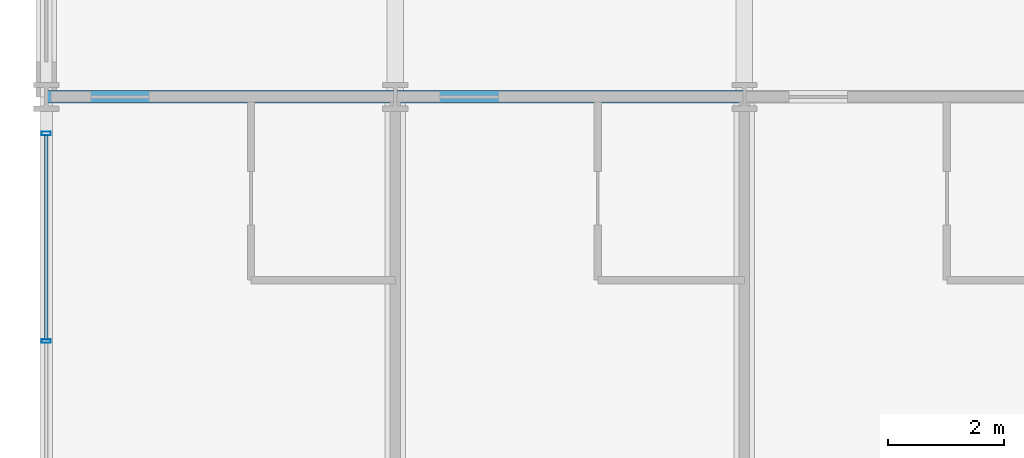
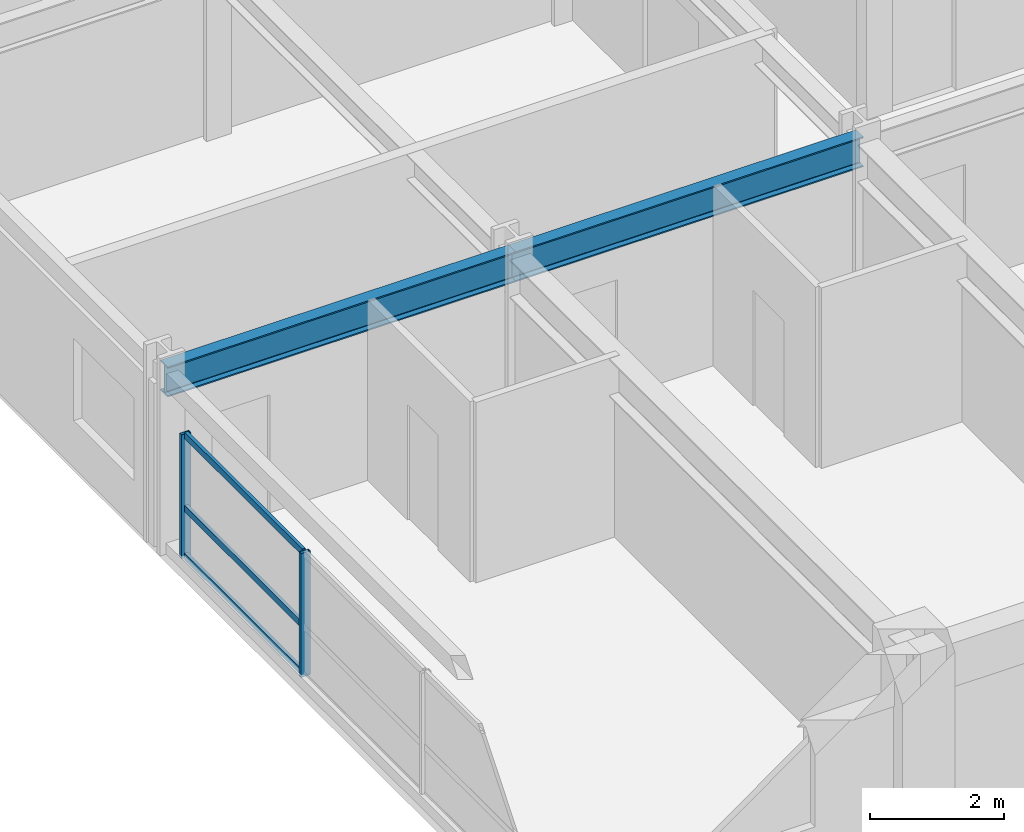
# One storey, part 4 of 22: 5 members, 2 beams, 1 element without a shape of its own.
"""IFC4 building model written with IfcOpenShell, lengths in metres."""

from ifc_helpers import new_model, si_unit, direction, frame, origin, origin_2d, place, context, subcontext, project, spatial, hollow_rectangle, i_section, extrude, material, material_profile, profile_set, type_object, element, aggregate, save


model = new_model("IFC4")

# Units and contexts
model_context = context("Model", 3, precision=1e-05, world=origin(), true_north=direction((0.0, 1.0)))
body_context = subcontext(model_context, "Body", "Model", "MODEL_VIEW")
ifc_project = project(units=[si_unit("LENGTHUNIT", "METRE"), si_unit("AREAUNIT", "SQUARE_METRE"), si_unit("VOLUMEUNIT", "CUBIC_METRE"), si_unit("PLANEANGLEUNIT", "RADIAN"), si_unit("MASSUNIT", "GRAM", prefix="KILO")], contexts=[model_context])

# Site, building, storey
site_placement = place(None, origin())
site = spatial("IfcSite", under=ifc_project, at=site_placement, CompositionType="ELEMENT")
building_placement = place(site_placement, origin())
building = spatial("IfcBuilding", under=site, at=building_placement, Name="Kaldorvane Square Convention Centre", CompositionType="ELEMENT")
storey_placement = place(building_placement, frame((0.0, 0.0, 31.199996948242188)))
storey = spatial("IfcBuildingStorey", under=building, at=storey_placement, Name="L06", CompositionType="ELEMENT", Elevation=31.199996948242188)

# Beams
ifc_material_1 = material(Name="Steel ASTM A992 Gr. 50", Category="steel")
ifc_material_profile_1 = material_profile(ifc_material_1, i_section(OverallWidth=0.213897705078125, OverallDepth=0.549102783203125, WebThickness=0.0146942138671875, FlangeThickness=0.0236053466796875, FilletRadius=0.0126953125, at=origin_2d()), Name="W21X93")
ifc_profile_set_1 = profile_set([ifc_material_profile_1], Name="Steel ASTM A992 Gr. 50")
beam_type = type_object("IfcBeamType", Name="BM-GR-W21X93", PredefinedType="BEAM", material=ifc_profile_set_1)
for number, where, z_axis, x_axis, name in (
    (1, (24.0, 96.0, 3.0113983154296875), (1.0, 0.0, 0.0), (0.0, 1.0, 0.0), "Primary Girder (L06)"),
    (2, (30.0, 96.0, 3.0113983154296875), (1.0, 0.0, 0.0), (0.0, 1.0, 0.0), "Primary Girder (L06)"),
):
    element("IfcBeam", number, at=place(storey_placement, frame(where, z_axis=z_axis, x_axis=x_axis)), inside=storey, type_object=beam_type, Name=name, PredefinedType="BEAM", context=body_context, shape_type="SweptSolid", body=[
        extrude(i_section(OverallWidth=0.213897705078125, OverallDepth=0.549102783203125, WebThickness=0.0146942138671875, FlangeThickness=0.0236053466796875, FilletRadius=0.0126953125, at=origin_2d()), origin(), (0.0, 0.0, 1.0), 6.0),
    ])

# Curtain wall, members
ifc_material_2 = material(Name="Anodized Aluminum and Low-E Insulated Glazing", Category="aluminium")
curtain_wall_type = type_object("IfcCurtainWallType", Name="CW-UNI-HTL-B", PredefinedType="USERDEFINED", material=ifc_material_2)
curtain_wall_placement = place(storey_placement, origin())
curtain_wall = element("IfcCurtainWall", 3, at=curtain_wall_placement, inside=storey, type_object=curtain_wall_type, Name="Curtain Wall CW-11 (L06)", ObjectType="UNITISED GLAZING", PredefinedType="USERDEFINED")
ifc_material_profile_2 = material_profile(ifc_material_2, hollow_rectangle(XDim=0.05999755859375, YDim=0.160003662109375, WallThickness=0.003204345703125, at=origin_2d()), Name="CWM-160X60")
ifc_profile_set_2 = profile_set([ifc_material_profile_2], Name="Anodized Aluminum and Low-E Insulated Glazing")
member_type_1 = type_object("IfcMemberType", Name="CW-MUL-160", PredefinedType="MULLION", material=ifc_profile_set_2)
member_1_placement = place(storey_placement, frame((24.0, 95.3699951171875, 0.1500091552734375), z_axis=(0.0, 0.0, 1.0), x_axis=(0.0, -1.0, 0.0)))
member_1 = element("IfcMember", 4, at=member_1_placement, type_object=member_type_1, Name="CW-11 mullion 1", PredefinedType="MULLION", context=body_context, shape_type="SweptSolid", body=[
    extrude(hollow_rectangle(XDim=0.05999755859375, YDim=0.160003662109375, WallThickness=0.003204345703125, at=origin_2d()), origin(), (0.0, 0.0, 1.0), 2.2599945068359375),
])
member_2_placement = place(storey_placement, frame((24.0, 91.80000305175781, 0.1500091552734375), z_axis=(0.0, 0.0, 1.0), x_axis=(0.0, -1.0, 0.0)))
member_2 = element("IfcMember", 5, at=member_2_placement, type_object=member_type_1, Name="CW-11 mullion 2", PredefinedType="MULLION", context=body_context, shape_type="SweptSolid", body=[
    extrude(hollow_rectangle(XDim=0.05999755859375, YDim=0.160003662109375, WallThickness=0.003204345703125, at=origin_2d()), origin(), (0.0, 0.0, 1.0), 2.2599945068359375),
])
ifc_material_profile_3 = material_profile(ifc_material_2, hollow_rectangle(XDim=0.05499267578125, YDim=0.1199951171875, WallThickness=0.0030059814453125, at=origin_2d()), Name="CWT-120X55")
ifc_profile_set_3 = profile_set([ifc_material_profile_3], Name="Anodized Aluminum and Low-E Insulated Glazing")
member_type_2 = type_object("IfcMemberType", Name="CW-TRN-120", PredefinedType="USERDEFINED", material=ifc_profile_set_3)
member_3_placement = place(storey_placement, frame((24.0, 95.33999633789062, 0.1775054931640625), z_axis=(0.0, -1.0, 0.0), x_axis=(1.0, 0.0, 0.0)))
member_3 = element("IfcMember", 6, at=member_3_placement, type_object=member_type_2, Name="CW-11 transom 1.1", ObjectType="TRANSOM", PredefinedType="USERDEFINED", context=body_context, shape_type="SweptSolid", body=[
    extrude(hollow_rectangle(XDim=0.05499267578125, YDim=0.1199951171875, WallThickness=0.0030059814453125, at=origin_2d()), origin(), (0.0, 0.0, 1.0), 3.5099945068359375),
])
member_4_placement = place(storey_placement, frame((24.0, 95.33999633789062, 1.0500030517578125), z_axis=(0.0, -1.0, 0.0), x_axis=(1.0, 0.0, 0.0)))
member_4 = element("IfcMember", 7, at=member_4_placement, type_object=member_type_2, Name="CW-11 transom 1.2", ObjectType="TRANSOM", PredefinedType="USERDEFINED", context=body_context, shape_type="SweptSolid", body=[
    extrude(hollow_rectangle(XDim=0.05499267578125, YDim=0.1199951171875, WallThickness=0.0030059814453125, at=origin_2d()), origin(), (0.0, 0.0, 1.0), 3.5099945068359375),
])
member_5_placement = place(storey_placement, frame((24.0, 95.33999633789062, 2.38250732421875), z_axis=(0.0, -1.0, 0.0), x_axis=(1.0, 0.0, 0.0)))
member_5 = element("IfcMember", 8, at=member_5_placement, type_object=member_type_2, Name="CW-11 transom 1.3", ObjectType="TRANSOM", PredefinedType="USERDEFINED", context=body_context, shape_type="SweptSolid", body=[
    extrude(hollow_rectangle(XDim=0.05499267578125, YDim=0.1199951171875, WallThickness=0.0030059814453125, at=origin_2d()), origin(), (0.0, 0.0, 1.0), 3.5099945068359375),
])
aggregate(curtain_wall, [member_1, member_2, member_3, member_4, member_5])

save(model, "model.ifc")
